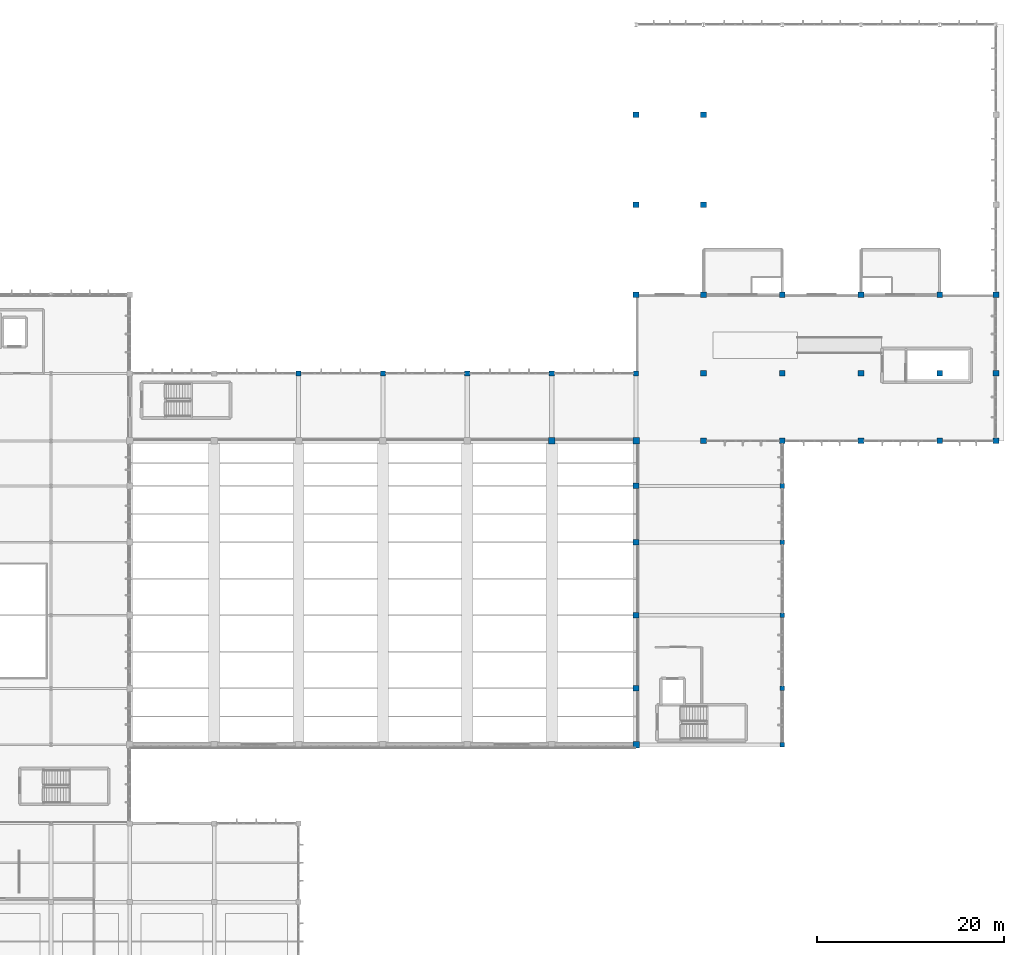
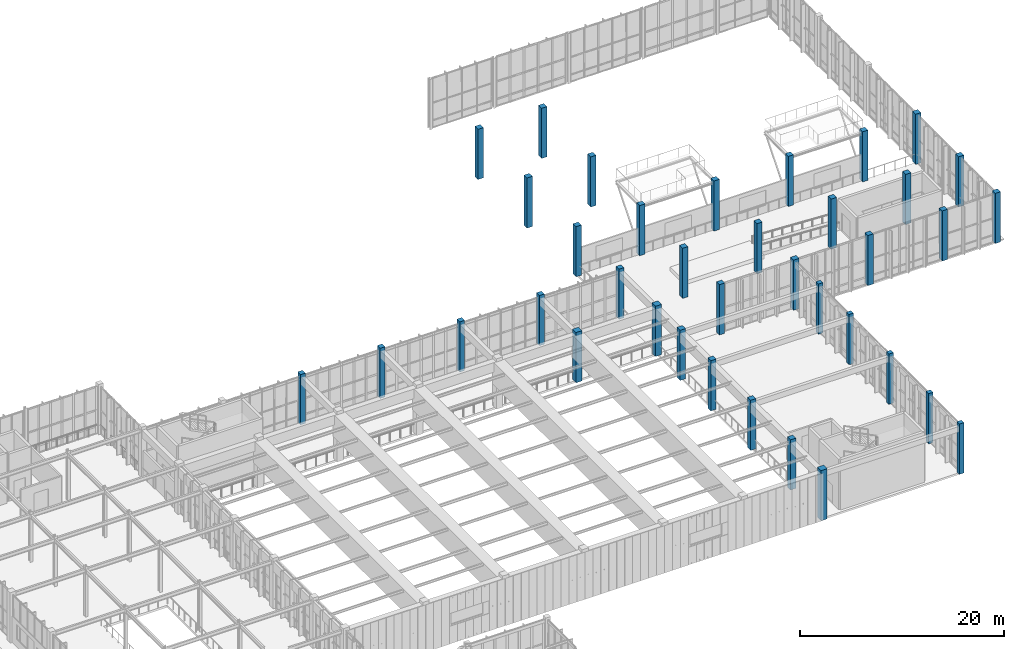
# One storey, part 8 of 105: 37 columns.
"""IFC4 building model written with IfcOpenShell, lengths in metres."""

from ifc_helpers import new_model, si_unit, direction, frame, origin, origin_2d, place, context, subcontext, project, spatial, rectangle, extrude, material, material_profile, profile_set, type_object, element, save


model = new_model("IFC4")

# Units and contexts
model_context = context("Model", 3, precision=1e-05, world=origin(), true_north=direction((0.0, 1.0)))
body_context = subcontext(model_context, "Body", "Model", "MODEL_VIEW")
ifc_project = project(units=[si_unit("LENGTHUNIT", "METRE"), si_unit("AREAUNIT", "SQUARE_METRE"), si_unit("VOLUMEUNIT", "CUBIC_METRE"), si_unit("PLANEANGLEUNIT", "RADIAN"), si_unit("MASSUNIT", "GRAM", prefix="KILO")], contexts=[model_context])

# Site, building, storey
site_placement = place(None, origin())
site = spatial("IfcSite", under=ifc_project, at=site_placement, CompositionType="ELEMENT")
building_placement = place(site_placement, origin())
building = spatial("IfcBuilding", under=site, at=building_placement, Name="Tizgana Railside Sports Hall", CompositionType="ELEMENT")
storey_placement = place(building_placement, frame((0.0, 0.0, 6.0)))
storey = spatial("IfcBuildingStorey", under=building, at=storey_placement, Name="L01", CompositionType="ELEMENT", Elevation=6.0)

# Columns
ifc_material_1 = material(Name="Concrete C35/45", Category="concrete")
ifc_material_profile_1 = material_profile(ifc_material_1, rectangle(XDim=0.5, YDim=0.5, at=origin_2d()), Name="RC 500x500")
ifc_profile_set_1 = profile_set([ifc_material_profile_1], Name="Concrete C35/45")
column_type_1 = type_object("IfcColumnType", Name="Concrete Column RC 500x500", PredefinedType="COLUMN", material=ifc_profile_set_1)
for number, where, z_axis, x_axis, name in (
    (1, (149.39990234375, 40.800048828125, 0.0), (0.0, 0.0, 1.0), (1.0, 0.0, 0.0), "L01 COL-0908"),
    (2, (149.39990234375, 46.800048828125, 0.0), (0.0, 0.0, 1.0), (1.0, 0.0, 0.0), "L01 COL-0911"),
    (3, (149.39990234375, 54.60009765625, 0.0), (0.0, 0.0, 1.0), (1.0, 0.0, 0.0), "L01 COL-0914"),
    (4, (149.39990234375, 62.39990234375, 0.0), (0.0, 0.0, 1.0), (1.0, 0.0, 0.0), "L01 COL-0917"),
    (5, (149.39990234375, 68.39990234375, 0.0), (0.0, 0.0, 1.0), (1.0, 0.0, 0.0), "L01 COL-0920"),
):
    element("IfcColumn", number, at=place(storey_placement, frame(where, z_axis=z_axis, x_axis=x_axis)), inside=storey, type_object=column_type_1, Name=name, PredefinedType="COLUMN", context=body_context, shape_type="SweptSolid", body=[
        extrude(rectangle(XDim=0.5, YDim=0.5, at=origin_2d()), origin(), (0.0, 0.0, 1.0), 6.0),
    ])
ifc_material_2 = material(Name="Concrete C40/50", Category="concrete")
ifc_material_profile_2 = material_profile(ifc_material_2, rectangle(XDim=0.550048828125, YDim=0.550048828125, at=origin_2d()), Name="RC 550x550")
ifc_profile_set_2 = profile_set([ifc_material_profile_2], Name="Concrete C40/50")
column_type_2 = type_object("IfcColumnType", Name="Concrete Column RC 550x550", PredefinedType="COLUMN", material=ifc_profile_set_2)
for number, where, z_axis, x_axis, name in (
    (6, (97.800048828125, 80.39990234375, 0.0), (0.0, 0.0, 1.0), (1.0, 0.0, 0.0), "L01 COL-0318"),
    (7, (106.800048828125, 80.39990234375, 0.0), (0.0, 0.0, 1.0), (1.0, 0.0, 0.0), "L01 COL-0343"),
    (8, (115.800048828125, 80.39990234375, 0.0), (0.0, 0.0, 1.0), (1.0, 0.0, 0.0), "L01 COL-0364"),
    (9, (124.800048828125, 80.39990234375, 0.0), (0.0, 0.0, 1.0), (1.0, 0.0, 0.0), "L01 COL-0389"),
    (10, (133.800048828125, 80.39990234375, 0.0), (0.0, 0.0, 1.0), (1.0, 0.0, 0.0), "L01 COL-0418"),
):
    element("IfcColumn", number, at=place(storey_placement, frame(where, z_axis=z_axis, x_axis=x_axis)), inside=storey, type_object=column_type_2, Name=name, PredefinedType="COLUMN", context=body_context, shape_type="SweptSolid", body=[
        extrude(rectangle(XDim=0.550048828125, YDim=0.550048828125, at=origin_2d()), origin(), (0.0, 0.0, 1.0), 6.0),
    ])
ifc_material_profile_3 = material_profile(ifc_material_2, rectangle(XDim=0.60009765625, YDim=0.60009765625, at=origin_2d()), Name="RC 600x600")
ifc_profile_set_3 = profile_set([ifc_material_profile_3], Name="Concrete C40/50")
column_type_3 = type_object("IfcColumnType", Name="Concrete Column RC 600x600", PredefinedType="COLUMN", material=ifc_profile_set_3)
for number, where, z_axis, x_axis, name in (
    (11, (133.800048828125, 46.800048828125, 0.0), (0.0, 0.0, 1.0), (1.0, 0.0, 0.0), "L01 COL-0400"),
    (12, (133.800048828125, 54.60009765625, 0.0), (0.0, 0.0, 1.0), (1.0, 0.0, 0.0), "L01 COL-0403"),
    (13, (133.800048828125, 62.39990234375, 0.0), (0.0, 0.0, 1.0), (1.0, 0.0, 0.0), "L01 COL-0406"),
    (14, (133.800048828125, 68.39990234375, 0.0), (0.0, 0.0, 1.0), (1.0, 0.0, 0.0), "L01 COL-0409"),
    (15, (133.800048828125, 88.800048828125, 0.0), (0.0, 0.0, 1.0), (1.0, 0.0, 0.0), "L01 COL-0423"),
    (16, (133.800048828125, 98.39990234375, 0.0), (0.0, 0.0, 1.0), (1.0, 0.0, 0.0), "L01 COL-0427"),
    (17, (133.800048828125, 108.0, 0.0), (0.0, 0.0, 1.0), (1.0, 0.0, 0.0), "L01 COL-0431"),
    (18, (141.0, 73.199951171875, 0.0), (0.0, 0.0, 1.0), (1.0, 0.0, 0.0), "L01 COL-0439"),
    (19, (141.0, 80.39990234375, 0.0), (0.0, 0.0, 1.0), (1.0, 0.0, 0.0), "L01 COL-0443"),
    (20, (141.0, 88.800048828125, 0.0), (0.0, 0.0, 1.0), (1.0, 0.0, 0.0), "L01 COL-0447"),
    (21, (141.0, 98.39990234375, 0.0), (0.0, 0.0, 1.0), (1.0, 0.0, 0.0), "L01 COL-0451"),
    (22, (141.0, 108.0, 0.0), (0.0, 0.0, 1.0), (1.0, 0.0, 0.0), "L01 COL-0455"),
    (23, (149.39990234375, 73.199951171875, 0.0), (0.0, 0.0, 1.0), (1.0, 0.0, 0.0), "L01 COL-0463"),
    (24, (149.39990234375, 80.39990234375, 0.0), (0.0, 0.0, 1.0), (1.0, 0.0, 0.0), "L01 COL-0467"),
    (25, (149.39990234375, 88.800048828125, 0.0), (0.0, 0.0, 1.0), (1.0, 0.0, 0.0), "L01 COL-0471"),
    (26, (157.800048828125, 73.199951171875, 0.0), (0.0, 0.0, 1.0), (1.0, 0.0, 0.0), "L01 COL-0479"),
    (27, (157.800048828125, 80.39990234375, 0.0), (0.0, 0.0, 1.0), (1.0, 0.0, 0.0), "L01 COL-0483"),
    (28, (157.800048828125, 88.800048828125, 0.0), (0.0, 0.0, 1.0), (1.0, 0.0, 0.0), "L01 COL-0487"),
    (29, (166.199951171875, 73.199951171875, 0.0), (0.0, 0.0, 1.0), (1.0, 0.0, 0.0), "L01 COL-0495"),
    (30, (166.199951171875, 80.39990234375, 0.0), (0.0, 0.0, 1.0), (1.0, 0.0, 0.0), "L01 COL-0499"),
    (31, (166.199951171875, 88.800048828125, 0.0), (0.0, 0.0, 1.0), (1.0, 0.0, 0.0), "L01 COL-0503"),
    (32, (172.199951171875, 73.199951171875, 0.0), (0.0, 0.0, 1.0), (1.0, 0.0, 0.0), "L01 COL-0511"),
    (33, (172.199951171875, 80.39990234375, 0.0), (0.0, 0.0, 1.0), (1.0, 0.0, 0.0), "L01 COL-0515"),
    (34, (172.199951171875, 88.800048828125, 0.0), (0.0, 0.0, 1.0), (1.0, 0.0, 0.0), "L01 COL-0519"),
):
    element("IfcColumn", number, at=place(storey_placement, frame(where, z_axis=z_axis, x_axis=x_axis)), inside=storey, type_object=column_type_3, Name=name, PredefinedType="COLUMN", context=body_context, shape_type="SweptSolid", body=[
        extrude(rectangle(XDim=0.60009765625, YDim=0.60009765625, at=origin_2d()), origin(), (0.0, 0.0, 1.0), 6.0),
    ])
ifc_material_profile_4 = material_profile(ifc_material_2, rectangle(XDim=0.699951171875, YDim=0.699951171875, at=origin_2d()), Name="RC 700x700")
ifc_profile_set_4 = profile_set([ifc_material_profile_4], Name="Concrete C40/50")
column_type_4 = type_object("IfcColumnType", Name="Concrete Column RC 700x700", PredefinedType="COLUMN", material=ifc_profile_set_4)
for number, where, z_axis, x_axis, name in (
    (35, (124.800048828125, 73.199951171875, 0.0), (0.0, 0.0, 1.0), (1.0, 0.0, 0.0), "L01 COL-0383"),
    (36, (133.800048828125, 40.800048828125, 0.0), (0.0, 0.0, 1.0), (1.0, 0.0, 0.0), "L01 COL-0394"),
    (37, (133.800048828125, 73.199951171875, 0.0), (0.0, 0.0, 1.0), (1.0, 0.0, 0.0), "L01 COL-0412"),
):
    element("IfcColumn", number, at=place(storey_placement, frame(where, z_axis=z_axis, x_axis=x_axis)), inside=storey, type_object=column_type_4, Name=name, PredefinedType="COLUMN", context=body_context, shape_type="SweptSolid", body=[
        extrude(rectangle(XDim=0.699951171875, YDim=0.699951171875, at=origin_2d()), origin(), (0.0, 0.0, 1.0), 6.0),
    ])

save(model, "model.ifc")
